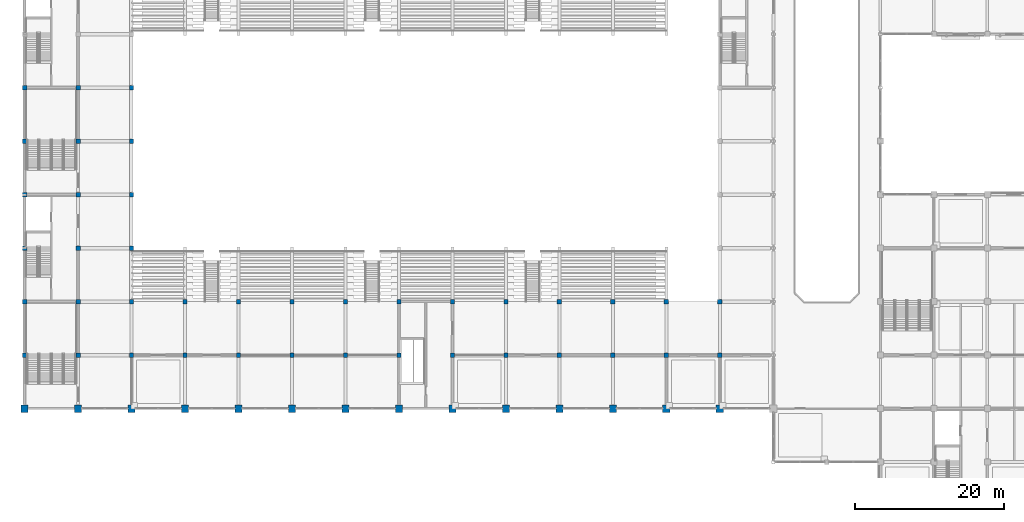
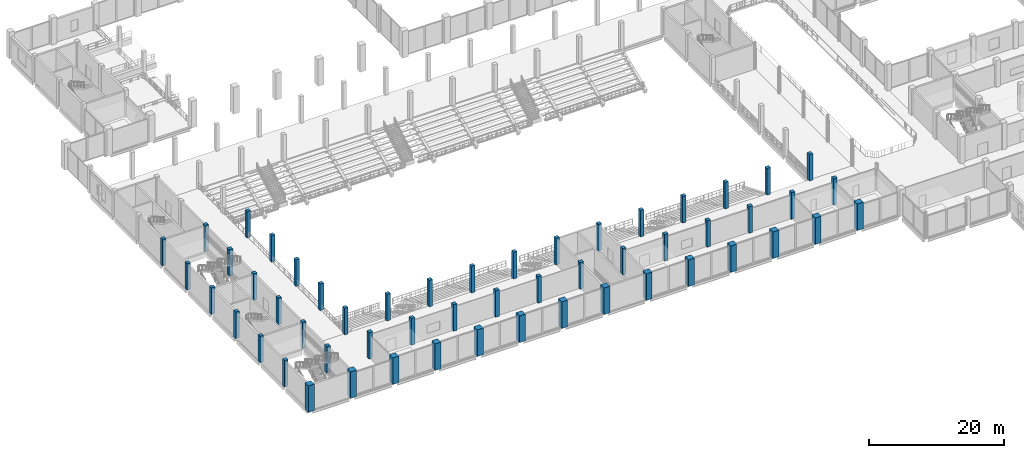
# One storey, part 1 of 99: 54 columns.
"""IFC4 building model written with IfcOpenShell, lengths in metres."""

import ifcopenshell
import ifcopenshell.guid

model = None  # the IFC model being written
_history = None  # IfcOwnerHistory: only IFC2X3 demands one
_inside = {}  # id of a spatial element -> (the spatial element, [elements in it])
_under = {}  # id of a project, library or spatial element -> (it, [spatial elements below it])
_declared = {}  # id of a project -> (the project, [libraries it declares])
_typed = {}  # id of a type object -> (the type object, [elements of that type])
_made_of = {}  # id of a material, layer set ... -> (it, [elements and type objects made of it])


def new_model(schema):
    """Start an empty IFC model of exactly this schema.

    Asked for "IFC4X3", IfcOpenShell would pick the latest addendum, in which some entities
    have other attributes; the version numbers below select the first issue.
    IFC2X3 requires an IfcOwnerHistory on every rooted entity: one is made here for all.
    """
    global model, _history
    if schema == "IFC4X3":
        model = ifcopenshell.file(schema_version=(4, 3, 0, 0))
    else:
        model = ifcopenshell.file(schema=schema)
    _inside.clear()
    _under.clear()
    _declared.clear()
    _typed.clear()
    _made_of.clear()
    _history = None
    if model.schema == "IFC2X3":
        org = make("IfcOrganization", Name="unknown")
        user = make(
            "IfcPersonAndOrganization",
            ThePerson=make("IfcPerson", FamilyName="unknown"),
            TheOrganization=org,
        )
        app = make(
            "IfcApplication",
            ApplicationDeveloper=org,
            Version="unknown",
            ApplicationFullName="unknown",
            ApplicationIdentifier="unknown",
        )
        _history = make(
            "IfcOwnerHistory",
            OwningUser=user,
            OwningApplication=app,
            ChangeAction="ADDED",
            CreationDate=0,
        )
    return model


def make(cls, **values):
    """One entity of the class cls with the attributes given. An attribute that is None is left unset."""
    return model.create_entity(
        cls, **{name: value for name, value in values.items() if value is not None}
    )


def rooted(cls, **values):
    """An entity with a GlobalId (a new one), such as an element, a storey or a relation."""
    return make(cls, GlobalId=ifcopenshell.guid.new(), OwnerHistory=_history, **values)


def si_unit(unit_type, name, prefix=None):
    """IfcSIUnit, for example si_unit("LENGTHUNIT", "METRE", prefix="MILLI")."""
    return make("IfcSIUnit", UnitType=unit_type, Prefix=prefix, Name=name)


def assignment(units):
    """IfcUnitAssignment: the units of a project."""
    return None if units is None else make("IfcUnitAssignment", Units=units)


def point(xyz):
    """IfcCartesianPoint."""
    return None if xyz is None else make("IfcCartesianPoint", Coordinates=xyz)


def direction(xyz):
    """IfcDirection."""
    return None if xyz is None else make("IfcDirection", DirectionRatios=xyz)


def frame(location, z_axis=None, x_axis=None):
    """IfcAxis2Placement3D, a coordinate frame: its origin and axes. An axis left out is left unset."""
    return make(
        "IfcAxis2Placement3D",
        Location=point(location),
        Axis=direction(z_axis),
        RefDirection=direction(x_axis),
    )


def frame_2d(location, x_axis=None):
    """IfcAxis2Placement2D, a coordinate frame in the plane: its origin and x axis."""
    return make(
        "IfcAxis2Placement2D", Location=point(location), RefDirection=direction(x_axis)
    )


def origin():
    """The frame at (0, 0, 0) with its axes left unset."""
    return frame((0.0, 0.0, 0.0))


def origin_2d():
    """The frame at (0, 0) in the plane with its x axis left unset."""
    return frame_2d((0.0, 0.0))


def place(relative_to, where):
    """IfcLocalPlacement: puts the frame where relative to a parent placement (None: the world)."""
    return make(
        "IfcLocalPlacement", PlacementRelTo=relative_to, RelativePlacement=where
    )


def context(
    kind, dimensions, precision=None, world=None, true_north=None, identifier=None
):
    """IfcGeometricRepresentationContext, for example the 3D "Model" context."""
    return make(
        "IfcGeometricRepresentationContext",
        ContextIdentifier=identifier,
        ContextType=kind,
        CoordinateSpaceDimension=dimensions,
        Precision=precision,
        WorldCoordinateSystem=world,
        TrueNorth=true_north,
    )


def subcontext(parent, identifier, kind, view, scale=None):
    """IfcGeometricRepresentationSubContext, for example "Body" below "Model"."""
    return make(
        "IfcGeometricRepresentationSubContext",
        ContextIdentifier=identifier,
        ContextType=kind,
        ParentContext=parent,
        TargetScale=scale,
        TargetView=view,
    )


def project(units=None, contexts=None):
    """IfcProject with its units and contexts."""
    return rooted(
        "IfcProject",
        Name="project",
        RepresentationContexts=contexts,
        UnitsInContext=assignment(units),
    )


def spatial(cls, under=None, at=None, **own):
    """A site, building, storey or space (cls), placed at a placement, below another one or the project."""
    s = rooted(cls, ObjectPlacement=at, **own)
    if under is not None:
        _under.setdefault(under.id(), (under, []))[1].append(s)
    return s


def profile(cls, at=None, kind="AREA", **sizes):
    """A parametric profile (cls). Its sizes go by their IFC names, for example OverallWidth=200.0."""
    return make(cls, ProfileType=kind, Position=at, **sizes)


def rectangle(**sizes):
    """IfcRectangleProfileDef."""
    return profile("IfcRectangleProfileDef", **sizes)


def extrude(swept, where, along, depth):
    """IfcExtrudedAreaSolid: the profile swept, set in the frame where, extruded along a direction by depth."""
    return make(
        "IfcExtrudedAreaSolid",
        SweptArea=swept,
        Position=where,
        ExtrudedDirection=direction(along),
        Depth=depth,
    )


def shape(context_of_items, identifier, shape_type, items):
    """IfcShapeRepresentation: the items that make up one representation, for example the "Body"."""
    return make(
        "IfcShapeRepresentation",
        ContextOfItems=context_of_items,
        RepresentationIdentifier=identifier,
        RepresentationType=shape_type,
        Items=items,
    )


def material(Name=None, Category=None):
    """IfcMaterial."""
    return make("IfcMaterial", Name=Name, Category=Category)


def material_profile(
    of_material, cross_section, Name=None, Category=None, Priority=None
):
    """IfcMaterialProfile: a cross section and its material."""
    return make(
        "IfcMaterialProfile",
        Name=Name,
        Material=of_material,
        Profile=cross_section,
        Priority=Priority,
        Category=Category,
    )


def profile_set(profiles, Name=None, composite=None):
    """IfcMaterialProfileSet."""
    return make(
        "IfcMaterialProfileSet",
        Name=Name,
        MaterialProfiles=profiles,
        CompositeProfile=composite,
    )


def made_of(thing, what):
    """Note that an element or type object is made of a material, layer set ...; save() writes the relation."""
    if what is not None:
        _made_of.setdefault(what.id(), (what, []))[1].append(thing)
    return thing


def type_object(cls, material=None, **own):
    """A type object (cls), such as IfcWallType, which elements share."""
    return made_of(rooted(cls, **own), material)


def element(
    cls,
    number,
    at=None,
    inside=None,
    cuts=None,
    type_object=None,
    material=None,
    context=None,
    identifier="Body",
    shape_type=None,
    held_by="IfcProductDefinitionShape",
    body=None,
    shapes=None,
    **own,
):
    """One element of the class cls, such as IfcWall. Its Tag is "e" and its number.

    at: its placement. inside: the storey or other place that contains it. cuts: it is an
    opening in that element (IfcRelVoidsElement). A single representation is given by context,
    identifier, shape_type and body (its items); several are given by shapes. held_by: the class
    of the entity that holds the representations. save() writes the other relations.
    """
    e = rooted(cls, Tag="e%d" % number, ObjectPlacement=at, **own)
    if body is not None:
        shapes = [shape(context, identifier, shape_type, body)]
    if shapes is not None:
        e.Representation = make(held_by, Representations=shapes)
    if inside is not None:
        _inside.setdefault(inside.id(), (inside, []))[1].append(e)
    if cuts is not None:
        rooted(
            "IfcRelVoidsElement", RelatingBuildingElement=cuts, RelatedOpeningElement=e
        )
    if type_object is not None:
        _typed.setdefault(type_object.id(), (type_object, []))[1].append(e)
    return made_of(e, material)


def aggregate(whole, parts):
    """IfcRelAggregates: a whole, such as a stair, and the parts it consists of."""
    return rooted("IfcRelAggregates", RelatingObject=whole, RelatedObjects=parts)


def save(model, path):
    """Write the relations noted so far, then the file.

    IfcRelAggregates (storeys below a building ...), IfcRelContainedInSpatialStructure (elements
    in a storey), IfcRelDefinesByType, IfcRelAssociatesMaterial and IfcRelDeclares: one each for
    every whole, place, type object, material and project.
    """
    for whole, parts in _under.values():
        aggregate(whole, parts)
    for where, things in _inside.values():
        rooted(
            "IfcRelContainedInSpatialStructure",
            RelatedElements=things,
            RelatingStructure=where,
        )
    for kind, things in _typed.values():
        rooted("IfcRelDefinesByType", RelatedObjects=things, RelatingType=kind)
    for what, things in _made_of.values():
        rooted("IfcRelAssociatesMaterial", RelatedObjects=things, RelatingMaterial=what)
    for by, libraries in _declared.values():
        rooted("IfcRelDeclares", RelatingContext=by, RelatedDefinitions=libraries)
    model.write(path)


model = new_model("IFC4")

# Units and contexts
model_context = context("Model", 3, precision=1e-05, world=origin(), true_north=direction((0.0, 1.0)))
body_context = subcontext(model_context, "Body", "Model", "MODEL_VIEW")
ifc_project = project(units=[si_unit("LENGTHUNIT", "METRE"), si_unit("AREAUNIT", "SQUARE_METRE"), si_unit("VOLUMEUNIT", "CUBIC_METRE"), si_unit("PLANEANGLEUNIT", "RADIAN"), si_unit("MASSUNIT", "GRAM", prefix="KILO")], contexts=[model_context])

# Site, building, storey
site_placement = place(None, origin())
site = spatial("IfcSite", under=ifc_project, at=site_placement, CompositionType="ELEMENT")
building_placement = place(site_placement, origin())
building = spatial("IfcBuilding", under=site, at=building_placement, Name="Vesperath Aquatics Centre", CompositionType="ELEMENT")
storey_placement = place(building_placement, frame((0.0, 0.0, 5.39990234375)))
storey = spatial("IfcBuildingStorey", under=building, at=storey_placement, Name="L01", CompositionType="ELEMENT", Elevation=5.39990234375)

# Columns
ifc_material = material(Name="Concrete C40", Category="concrete")
ifc_material_profile_1 = material_profile(ifc_material, rectangle(XDim=1.0, YDim=1.0, at=origin_2d()), Name="RC 1000x1000")
ifc_profile_set_1 = profile_set([ifc_material_profile_1], Name="Concrete C40")
column_type_1 = type_object("IfcColumnType", Name="CL-C02", PredefinedType="COLUMN", material=ifc_profile_set_1)
for number, where, z_axis, x_axis, name in (
    (1, (0.0, 14.39990234375, 0.0), (0.0, 0.0, 1.0), (1.0, 0.0, 0.0), "Column C02 L01 1/C"),
    (2, (7.199951171875, 14.39990234375, 0.0), (0.0, 0.0, 1.0), (1.0, 0.0, 0.0), "Column C02 L01 2/C"),
    (3, (14.39990234375, 14.39990234375, 0.0), (0.0, 0.0, 1.0), (1.0, 0.0, 0.0), "Column C02 L01 3/C"),
    (4, (21.60009765625, 14.39990234375, 0.0), (0.0, 0.0, 1.0), (1.0, 0.0, 0.0), "Column C02 L01 4/C"),
    (5, (28.800048828125, 14.39990234375, 0.0), (0.0, 0.0, 1.0), (1.0, 0.0, 0.0), "Column C02 L01 5/C"),
    (6, (36.0, 14.39990234375, 0.0), (0.0, 0.0, 1.0), (1.0, 0.0, 0.0), "Column C02 L01 6/C"),
    (7, (43.199951171875, 14.39990234375, 0.0), (0.0, 0.0, 1.0), (1.0, 0.0, 0.0), "Column C02 L01 7/C"),
    (8, (50.39990234375, 14.39990234375, 0.0), (0.0, 0.0, 1.0), (1.0, 0.0, 0.0), "Column C02 L01 8/C"),
    (9, (57.60009765625, 14.39990234375, 0.0), (0.0, 0.0, 1.0), (1.0, 0.0, 0.0), "Column C02 L01 9/C"),
    (10, (64.800048828125, 14.39990234375, 0.0), (0.0, 0.0, 1.0), (1.0, 0.0, 0.0), "Column C02 L01 10/C"),
    (11, (72.0, 14.39990234375, 0.0), (0.0, 0.0, 1.0), (1.0, 0.0, 0.0), "Column C02 L01 11/C"),
    (12, (79.199951171875, 14.39990234375, 0.0), (0.0, 0.0, 1.0), (1.0, 0.0, 0.0), "Column C02 L01 12/C"),
    (13, (86.39990234375, 14.39990234375, 0.0), (0.0, 0.0, 1.0), (1.0, 0.0, 0.0), "Column C02 L01 13/C"),
    (14, (93.60009765625, 14.39990234375, 0.0), (0.0, 0.0, 1.0), (1.0, 0.0, 0.0), "Column C02 L01 14/C"),
):
    element("IfcColumn", number, at=place(storey_placement, frame(where, z_axis=z_axis, x_axis=x_axis)), inside=storey, type_object=column_type_1, Name=name, PredefinedType="COLUMN", context=body_context, shape_type="SweptSolid", body=[
        extrude(rectangle(XDim=1.0, YDim=1.0, at=origin_2d()), origin(), (0.0, 0.0, 1.0), 4.800048828125),
    ])
ifc_material_profile_2 = material_profile(ifc_material, rectangle(XDim=0.60009765625, YDim=0.60009765625, at=origin_2d()), Name="RC 600x600")
ifc_profile_set_2 = profile_set([ifc_material_profile_2], Name="Concrete C40")
column_type_2 = type_object("IfcColumnType", Name="CL-C06", PredefinedType="COLUMN", material=ifc_profile_set_2)
for number, where, z_axis, x_axis, name in (
    (15, (0.0, 21.60009765625, 0.0), (0.0, 0.0, 1.0), (1.0, 0.0, 0.0), "Column C06 L01 1/D"),
    (16, (0.0, 28.800048828125, 0.0), (0.0, 0.0, 1.0), (1.0, 0.0, 0.0), "Column C06 L01 1/E"),
    (17, (0.0, 36.0, 0.0), (0.0, 0.0, 1.0), (1.0, 0.0, 0.0), "Column C06 L01 1/F"),
    (18, (0.0, 43.199951171875, 0.0), (0.0, 0.0, 1.0), (1.0, 0.0, 0.0), "Column C06 L01 1/G"),
    (19, (0.0, 50.39990234375, 0.0), (0.0, 0.0, 1.0), (1.0, 0.0, 0.0), "Column C06 L01 1/H"),
    (20, (0.0, 57.60009765625, 0.0), (0.0, 0.0, 1.0), (1.0, 0.0, 0.0), "Column C06 L01 1/J"),
    (21, (7.199951171875, 21.60009765625, 0.0), (0.0, 0.0, 1.0), (1.0, 0.0, 0.0), "Column C06 L01 2/D"),
    (22, (7.199951171875, 28.800048828125, 0.0), (0.0, 0.0, 1.0), (1.0, 0.0, 0.0), "Column C06 L01 2/E"),
    (23, (7.199951171875, 36.0, 0.0), (0.0, 0.0, 1.0), (1.0, 0.0, 0.0), "Column C06 L01 2/F"),
    (24, (7.199951171875, 43.199951171875, 0.0), (0.0, 0.0, 1.0), (1.0, 0.0, 0.0), "Column C06 L01 2/G"),
    (25, (7.199951171875, 50.39990234375, 0.0), (0.0, 0.0, 1.0), (1.0, 0.0, 0.0), "Column C06 L01 2/H"),
    (26, (7.199951171875, 57.60009765625, 0.0), (0.0, 0.0, 1.0), (1.0, 0.0, 0.0), "Column C06 L01 2/J"),
    (27, (14.39990234375, 21.60009765625, 0.0), (0.0, 0.0, 1.0), (1.0, 0.0, 0.0), "Column C06 L01 3/D"),
    (28, (14.39990234375, 28.800048828125, 0.0), (0.0, 0.0, 1.0), (1.0, 0.0, 0.0), "Column C06 L01 3/E"),
    (29, (14.39990234375, 36.0, 0.0), (0.0, 0.0, 1.0), (1.0, 0.0, 0.0), "Column C06 L01 3/F"),
    (30, (14.39990234375, 43.199951171875, 0.0), (0.0, 0.0, 1.0), (1.0, 0.0, 0.0), "Column C06 L01 3/G"),
    (31, (14.39990234375, 50.39990234375, 0.0), (0.0, 0.0, 1.0), (1.0, 0.0, 0.0), "Column C06 L01 3/H"),
    (32, (14.39990234375, 57.60009765625, 0.0), (0.0, 0.0, 1.0), (1.0, 0.0, 0.0), "Column C06 L01 3/J"),
    (33, (21.60009765625, 21.60009765625, 0.0), (0.0, 0.0, 1.0), (1.0, 0.0, 0.0), "Column C06 L01 4/D"),
    (34, (21.60009765625, 28.800048828125, 0.0), (0.0, 0.0, 1.0), (1.0, 0.0, 0.0), "Column C06 L01 4/E"),
    (35, (28.800048828125, 21.60009765625, 0.0), (0.0, 0.0, 1.0), (1.0, 0.0, 0.0), "Column C06 L01 5/D"),
    (36, (28.800048828125, 28.800048828125, 0.0), (0.0, 0.0, 1.0), (1.0, 0.0, 0.0), "Column C06 L01 5/E"),
    (37, (36.0, 21.60009765625, 0.0), (0.0, 0.0, 1.0), (1.0, 0.0, 0.0), "Column C06 L01 6/D"),
    (38, (36.0, 28.800048828125, 0.0), (0.0, 0.0, 1.0), (1.0, 0.0, 0.0), "Column C06 L01 6/E"),
    (39, (43.199951171875, 21.60009765625, 0.0), (0.0, 0.0, 1.0), (1.0, 0.0, 0.0), "Column C06 L01 7/D"),
    (40, (43.199951171875, 28.800048828125, 0.0), (0.0, 0.0, 1.0), (1.0, 0.0, 0.0), "Column C06 L01 7/E"),
    (41, (50.39990234375, 21.60009765625, 0.0), (0.0, 0.0, 1.0), (1.0, 0.0, 0.0), "Column C06 L01 8/D"),
    (42, (50.39990234375, 28.800048828125, 0.0), (0.0, 0.0, 1.0), (1.0, 0.0, 0.0), "Column C06 L01 8/E"),
    (43, (57.60009765625, 21.60009765625, 0.0), (0.0, 0.0, 1.0), (1.0, 0.0, 0.0), "Column C06 L01 9/D"),
    (44, (57.60009765625, 28.800048828125, 0.0), (0.0, 0.0, 1.0), (1.0, 0.0, 0.0), "Column C06 L01 9/E"),
    (45, (64.800048828125, 21.60009765625, 0.0), (0.0, 0.0, 1.0), (1.0, 0.0, 0.0), "Column C06 L01 10/D"),
    (46, (64.800048828125, 28.800048828125, 0.0), (0.0, 0.0, 1.0), (1.0, 0.0, 0.0), "Column C06 L01 10/E"),
    (47, (72.0, 21.60009765625, 0.0), (0.0, 0.0, 1.0), (1.0, 0.0, 0.0), "Column C06 L01 11/D"),
    (48, (72.0, 28.800048828125, 0.0), (0.0, 0.0, 1.0), (1.0, 0.0, 0.0), "Column C06 L01 11/E"),
    (49, (79.199951171875, 21.60009765625, 0.0), (0.0, 0.0, 1.0), (1.0, 0.0, 0.0), "Column C06 L01 12/D"),
    (50, (79.199951171875, 28.800048828125, 0.0), (0.0, 0.0, 1.0), (1.0, 0.0, 0.0), "Column C06 L01 12/E"),
    (51, (86.39990234375, 21.60009765625, 0.0), (0.0, 0.0, 1.0), (1.0, 0.0, 0.0), "Column C06 L01 13/D"),
    (52, (86.39990234375, 28.800048828125, 0.0), (0.0, 0.0, 1.0), (1.0, 0.0, 0.0), "Column C06 L01 13/E"),
    (53, (93.60009765625, 21.60009765625, 0.0), (0.0, 0.0, 1.0), (1.0, 0.0, 0.0), "Column C06 L01 14/D"),
    (54, (93.60009765625, 28.800048828125, 0.0), (0.0, 0.0, 1.0), (1.0, 0.0, 0.0), "Column C06 L01 14/E"),
):
    element("IfcColumn", number, at=place(storey_placement, frame(where, z_axis=z_axis, x_axis=x_axis)), inside=storey, type_object=column_type_2, Name=name, PredefinedType="COLUMN", context=body_context, shape_type="SweptSolid", body=[
        extrude(rectangle(XDim=0.60009765625, YDim=0.60009765625, at=origin_2d()), origin(), (0.0, 0.0, 1.0), 4.800048828125),
    ])

save(model, "model.ifc")
